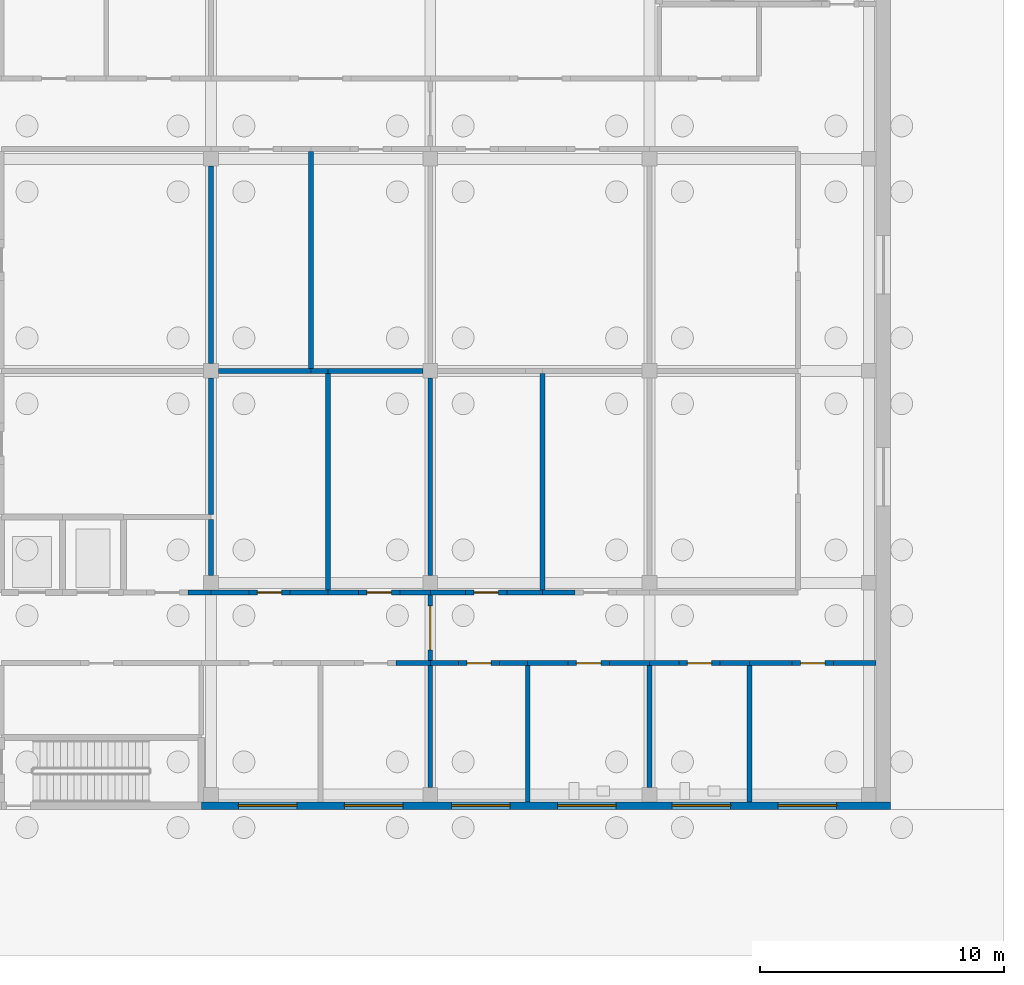
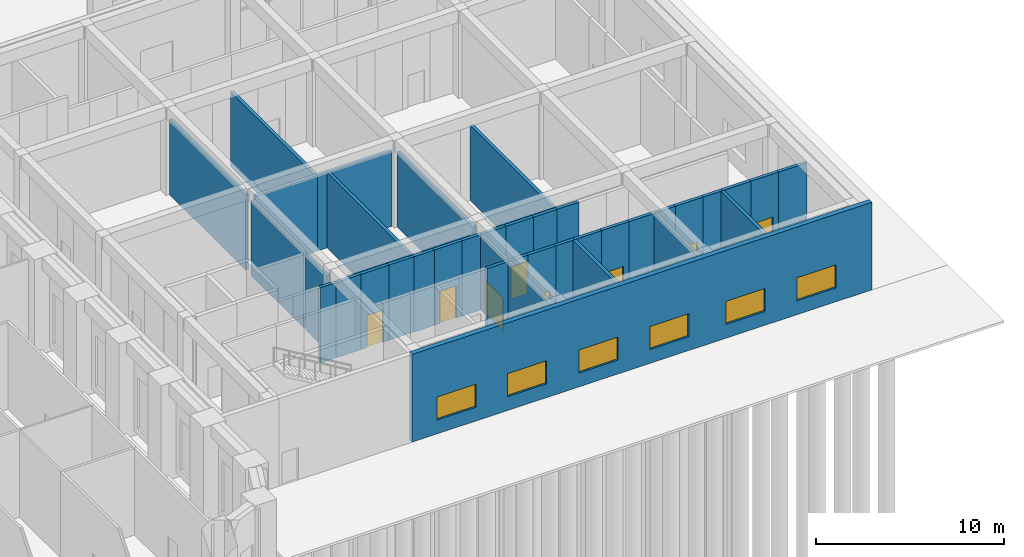
# One storey, part 20 of 31: 40 walls, 8 doors, 6 windows, 14 openings.
"""IFC4 building model written with IfcOpenShell, lengths in metres."""

from ifc_helpers import new_model, si_unit, direction, frame, frame_2d, origin, place, context, subcontext, project, spatial, rectangle, extrude, material, layer, layer_set, type_object, element, fill, save


model = new_model("IFC4")

# Units and contexts
model_context = context("Model", 3, precision=1e-05, world=origin(), true_north=direction((0.0, 1.0)))
body_context = subcontext(model_context, "Body", "Model", "MODEL_VIEW")
ifc_project = project(units=[si_unit("LENGTHUNIT", "METRE"), si_unit("AREAUNIT", "SQUARE_METRE"), si_unit("VOLUMEUNIT", "CUBIC_METRE"), si_unit("PLANEANGLEUNIT", "RADIAN"), si_unit("MASSUNIT", "GRAM", prefix="KILO")], contexts=[model_context])

# Site, building, storey
site_placement = place(None, origin())
site = spatial("IfcSite", under=ifc_project, at=site_placement, CompositionType="ELEMENT")
building_placement = place(site_placement, origin())
building = spatial("IfcBuilding", under=site, at=building_placement, Name="Girih Gate Residences", CompositionType="ELEMENT")
storey_placement = place(building_placement, origin())
storey = spatial("IfcBuildingStorey", under=building, at=storey_placement, Name="L00", CompositionType="ELEMENT", Elevation=0.0)

# Walls
ifc_material_1 = material(Name="Fire-rated gypsum partition")
ifc_layer_1 = layer(ifc_material_1, 0.199951171875)
ifc_layer_set_1 = layer_set([ifc_layer_1], Name="HC Corridor wall 200 EI 60")
wall_type_1 = type_object("IfcWallType", Name="HC Corridor wall 200 EI 60", PredefinedType="PARTITIONING", material=ifc_layer_set_1)
wall_1_placement = place(storey_placement, frame((70.050048828125, 15.0, 0.0), z_axis=(0.0, 0.0, 1.0), x_axis=(1.0, 0.0, 0.0)))
element("IfcWall", 1, at=wall_1_placement, inside=storey, type_object=wall_type_1, Name="L00 wall x15.00/70.0", PredefinedType="PARTITIONING", context=body_context, shape_type="SweptSolid", body=[
    extrude(rectangle(XDim=1.39990234375, YDim=0.199951171875, at=frame_2d((0.699951171875, 0.0))), origin(), (0.0, 0.0, 1.0), 4.89990234375),
])
wall_2_placement = place(storey_placement, frame((71.449951171875, 15.0, 0.0), z_axis=(0.0, 0.0, 1.0), x_axis=(1.0, 0.0, 0.0)))
element("IfcWall", 2, at=wall_2_placement, inside=storey, type_object=wall_type_1, Name="L00 wall x15.00/71.5", PredefinedType="PARTITIONING", context=body_context, shape_type="SweptSolid", body=[
    extrude(rectangle(XDim=1.150146484375, YDim=0.199951171875, at=frame_2d((0.5751953125, 0.0))), origin(), (0.0, 0.0, 1.0), 4.89990234375),
])

# Wall, opening, door
wall_3_placement = place(storey_placement, frame((74.300048828125, 15.0, 0.0), z_axis=(0.0, 0.0, 1.0), x_axis=(-1.0, 0.0, 0.0)))
wall_3 = element("IfcWall", 3, at=wall_3_placement, inside=storey, type_object=wall_type_1, Name="L00 wall x15.00/72.6", PredefinedType="PARTITIONING", context=body_context, shape_type="SweptSolid", body=[
    extrude(rectangle(XDim=1.699951171875, YDim=0.199951171875, at=frame_2d((0.85009765625, 0.0))), origin(), (0.0, 0.0, 1.0), 4.89990234375),
])
opening_1_placement = place(wall_3_placement, frame((0.35009765625, 0.0, 0.0)))
opening_1 = element("IfcOpeningElement", 4, at=opening_1_placement, cuts=wall_3, Name="Opening HC-L00-D12", PredefinedType="OPENING", context=body_context, shape_type="SweptSolid", body=[
    extrude(rectangle(XDim=1.0, YDim=2.10009765625, at=frame_2d((0.5, 1.050048828125))), frame((0.0, 0.10986328125, 0.0), z_axis=(0.0, -1.0, 0.0), x_axis=(1.0, 0.0, 0.0)), (0.0, 0.0, 1.0), 0.219970703125),
])
ifc_material_2 = material(Name="Timber door set", Category="wood")
door_type_1 = type_object("IfcDoorType", Name="HC Door 1000x2100 FD30S", OperationType="NOTDEFINED", PredefinedType="DOOR", material=ifc_material_2)
door_1_placement = place(opening_1_placement, origin())
door_1 = element("IfcDoor", 5, at=door_1_placement, inside=storey, type_object=door_type_1, Name="L00 Phlebotomy room door", OperationType="SINGLE_SWING_LEFT", OverallHeight=2.10009765625, OverallWidth=1.0, PredefinedType="DOOR", context=body_context, shape_type="SweptSolid", body=[
    extrude(rectangle(XDim=1.0, YDim=2.10009765625, at=frame_2d((0.5, 1.050048828125))), frame((0.0, 0.02490234375, 0.0), z_axis=(0.0, -1.0, 0.0), x_axis=(1.0, 0.0, 0.0)), (0.0, 0.0, 1.0), 0.050048828125),
])
fill(opening_1, door_1)

# Walls
wall_4_placement = place(storey_placement, frame((74.300048828125, 15.0, 0.0), z_axis=(0.0, 0.0, 1.0), x_axis=(1.0, 0.0, 0.0)))
element("IfcWall", 6, at=wall_4_placement, inside=storey, type_object=wall_type_1, Name="L00 wall x15.00/74.3", PredefinedType="PARTITIONING", context=body_context, shape_type="SweptSolid", body=[
    extrude(rectangle(XDim=1.14990234375, YDim=0.199951171875, at=frame_2d((0.574951171875, 0.0))), origin(), (0.0, 0.0, 1.0), 4.89990234375),
])
wall_5_placement = place(storey_placement, frame((75.449951171875, 15.0, 0.0), z_axis=(0.0, 0.0, 1.0), x_axis=(1.0, 0.0, 0.0)))
element("IfcWall", 7, at=wall_5_placement, inside=storey, type_object=wall_type_1, Name="L00 wall x15.00/75.5", PredefinedType="PARTITIONING", context=body_context, shape_type="SweptSolid", body=[
    extrude(rectangle(XDim=1.650146484375, YDim=0.199951171875, at=frame_2d((0.8251953125, 0.0))), origin(), (0.0, 0.0, 1.0), 4.89990234375),
])

# Wall, opening, door
wall_6_placement = place(storey_placement, frame((78.800048828125, 15.0, 0.0), z_axis=(0.0, 0.0, 1.0), x_axis=(-1.0, 0.0, 0.0)))
wall_6 = element("IfcWall", 8, at=wall_6_placement, inside=storey, type_object=wall_type_1, Name="L00 wall x15.00/77.1", PredefinedType="PARTITIONING", context=body_context, shape_type="SweptSolid", body=[
    extrude(rectangle(XDim=1.699951171875, YDim=0.199951171875, at=frame_2d((0.85009765625, 0.0))), origin(), (0.0, 0.0, 1.0), 4.89990234375),
])
opening_2_placement = place(wall_6_placement, frame((0.35009765625, 0.0, 0.0)))
opening_2 = element("IfcOpeningElement", 9, at=opening_2_placement, cuts=wall_6, Name="Opening HC-L00-D13", PredefinedType="OPENING", context=body_context, shape_type="SweptSolid", body=[
    extrude(rectangle(XDim=1.0, YDim=2.10009765625, at=frame_2d((0.5, 1.050048828125))), frame((0.0, 0.10986328125, 0.0), z_axis=(0.0, -1.0, 0.0), x_axis=(1.0, 0.0, 0.0)), (0.0, 0.0, 1.0), 0.219970703125),
])
door_2_placement = place(opening_2_placement, origin())
door_2 = element("IfcDoor", 10, at=door_2_placement, inside=storey, type_object=door_type_1, Name="L00 Public WC door", OperationType="SINGLE_SWING_RIGHT", OverallHeight=2.10009765625, OverallWidth=1.0, PredefinedType="DOOR", context=body_context, shape_type="SweptSolid", body=[
    extrude(rectangle(XDim=1.0, YDim=2.10009765625, at=frame_2d((0.5, 1.050048828125))), frame((0.0, 0.02490234375, 0.0), z_axis=(0.0, -1.0, 0.0), x_axis=(1.0, 0.0, 0.0)), (0.0, 0.0, 1.0), 0.050048828125),
])
fill(opening_2, door_2)

# Walls
wall_7_placement = place(storey_placement, frame((78.800048828125, 15.0, 0.0), z_axis=(0.0, 0.0, 1.0), x_axis=(1.0, 0.0, 0.0)))
element("IfcWall", 11, at=wall_7_placement, inside=storey, type_object=wall_type_1, Name="L00 wall x15.00/78.8", PredefinedType="PARTITIONING", context=body_context, shape_type="SweptSolid", body=[
    extrude(rectangle(XDim=1.64990234375, YDim=0.199951171875, at=frame_2d((0.824951171875, 0.0))), origin(), (0.0, 0.0, 1.0), 4.89990234375),
])
wall_8_placement = place(storey_placement, frame((80.449951171875, 15.0, 0.0), z_axis=(0.0, 0.0, 1.0), x_axis=(1.0, 0.0, 0.0)))
element("IfcWall", 12, at=wall_8_placement, inside=storey, type_object=wall_type_1, Name="L00 wall x15.00/80.5", PredefinedType="PARTITIONING", context=body_context, shape_type="SweptSolid", body=[
    extrude(rectangle(XDim=1.199951171875, YDim=0.199951171875, at=frame_2d((0.60009765625, 0.0))), origin(), (0.0, 0.0, 1.0), 4.89990234375),
])

# Wall, opening, door
wall_9_placement = place(storey_placement, frame((83.35009765625, 15.0, 0.0), z_axis=(0.0, 0.0, 1.0), x_axis=(-1.0, 0.0, 0.0)))
wall_9 = element("IfcWall", 13, at=wall_9_placement, inside=storey, type_object=wall_type_1, Name="L00 wall x15.00/81.7", PredefinedType="PARTITIONING", context=body_context, shape_type="SweptSolid", body=[
    extrude(rectangle(XDim=1.7001953125, YDim=0.199951171875, at=frame_2d((0.85009765625, 0.0))), origin(), (0.0, 0.0, 1.0), 4.89990234375),
])
opening_3_placement = place(wall_9_placement, frame((0.35009765625, 0.0, 0.0)))
opening_3 = element("IfcOpeningElement", 14, at=opening_3_placement, cuts=wall_9, Name="Opening HC-L00-D14", PredefinedType="OPENING", context=body_context, shape_type="SweptSolid", body=[
    extrude(rectangle(XDim=1.0, YDim=2.10009765625, at=frame_2d((0.5, 1.050048828125))), frame((0.0, 0.10986328125, 0.0), z_axis=(0.0, -1.0, 0.0), x_axis=(1.0, 0.0, 0.0)), (0.0, 0.0, 1.0), 0.219970703125),
])
door_3_placement = place(opening_3_placement, origin())
door_3 = element("IfcDoor", 15, at=door_3_placement, inside=storey, type_object=door_type_1, Name="L00 Accessible WC door", OperationType="SINGLE_SWING_LEFT", OverallHeight=2.10009765625, OverallWidth=1.0, PredefinedType="DOOR", context=body_context, shape_type="SweptSolid", body=[
    extrude(rectangle(XDim=1.0, YDim=2.10009765625, at=frame_2d((0.5, 1.050048828125))), frame((0.0, 0.02490234375, 0.0), z_axis=(0.0, -1.0, 0.0), x_axis=(1.0, 0.0, 0.0)), (0.0, 0.0, 1.0), 0.050048828125),
])
fill(opening_3, door_3)

# Walls
wall_10_placement = place(storey_placement, frame((83.35009765625, 15.0, 0.0), z_axis=(0.0, 0.0, 1.0), x_axis=(1.0, 0.0, 0.0)))
element("IfcWall", 16, at=wall_10_placement, inside=storey, type_object=wall_type_1, Name="L00 wall x15.00/83.3", PredefinedType="PARTITIONING", context=body_context, shape_type="SweptSolid", body=[
    extrude(rectangle(XDim=1.199951171875, YDim=0.199951171875, at=frame_2d((0.60009765625, 0.0))), origin(), (0.0, 0.0, 1.0), 4.89990234375),
])
wall_11_placement = place(storey_placement, frame((84.550048828125, 15.0, 0.0), z_axis=(0.0, 0.0, 1.0), x_axis=(1.0, 0.0, 0.0)))
element("IfcWall", 17, at=wall_11_placement, inside=storey, type_object=wall_type_1, Name="L00 wall x15.00/84.5", PredefinedType="PARTITIONING", context=body_context, shape_type="SweptSolid", body=[
    extrude(rectangle(XDim=1.75, YDim=0.199951171875, at=frame_2d((0.875, 0.0))), origin(), (0.0, 0.0, 1.0), 4.89990234375),
])

# Wall, opening, door
wall_12_placement = place(storey_placement, frame((88.0, 15.0, 0.0), z_axis=(0.0, 0.0, 1.0), x_axis=(-1.0, 0.0, 0.0)))
wall_12 = element("IfcWall", 18, at=wall_12_placement, inside=storey, type_object=wall_type_1, Name="L00 wall x15.00/86.3", PredefinedType="PARTITIONING", context=body_context, shape_type="SweptSolid", body=[
    extrude(rectangle(XDim=1.699951171875, YDim=0.199951171875, at=frame_2d((0.85009765625, 0.0))), origin(), (0.0, 0.0, 1.0), 4.89990234375),
])
opening_4_placement = place(wall_12_placement, frame((0.35009765625, 0.0, 0.0)))
opening_4 = element("IfcOpeningElement", 19, at=opening_4_placement, cuts=wall_12, Name="Opening HC-L00-D15", PredefinedType="OPENING", context=body_context, shape_type="SweptSolid", body=[
    extrude(rectangle(XDim=1.0, YDim=2.10009765625, at=frame_2d((0.5, 1.050048828125))), frame((0.0, 0.10986328125, 0.0), z_axis=(0.0, -1.0, 0.0), x_axis=(1.0, 0.0, 0.0)), (0.0, 0.0, 1.0), 0.219970703125),
])
door_4_placement = place(opening_4_placement, origin())
door_4 = element("IfcDoor", 20, at=door_4_placement, inside=storey, type_object=door_type_1, Name="L00 Staff base door", OperationType="SINGLE_SWING_RIGHT", OverallHeight=2.10009765625, OverallWidth=1.0, PredefinedType="DOOR", context=body_context, shape_type="SweptSolid", body=[
    extrude(rectangle(XDim=1.0, YDim=2.10009765625, at=frame_2d((0.5, 1.050048828125))), frame((0.0, 0.02490234375, 0.0), z_axis=(0.0, -1.0, 0.0), x_axis=(1.0, 0.0, 0.0)), (0.0, 0.0, 1.0), 0.050048828125),
])
fill(opening_4, door_4)

# Walls
wall_13_placement = place(storey_placement, frame((88.0, 15.0, 0.0), z_axis=(0.0, 0.0, 1.0), x_axis=(1.0, 0.0, 0.0)))
element("IfcWall", 21, at=wall_13_placement, inside=storey, type_object=wall_type_1, Name="L00 wall x15.00/88.0", PredefinedType="PARTITIONING", context=body_context, shape_type="SweptSolid", body=[
    extrude(rectangle(XDim=1.75, YDim=0.199951171875, at=frame_2d((0.875, 0.0))), origin(), (0.0, 0.0, 1.0), 4.89990234375),
])
wall_14_placement = place(storey_placement, frame((61.5, 17.89990234375, 0.0), z_axis=(0.0, 0.0, 1.0), x_axis=(1.0, 0.0, 0.0)))
element("IfcWall", 22, at=wall_14_placement, inside=storey, type_object=wall_type_1, Name="L00 wall x17.90/61.5", PredefinedType="PARTITIONING", context=body_context, shape_type="SweptSolid", body=[
    extrude(rectangle(XDim=0.949951171875, YDim=0.199951171875, at=frame_2d((0.47509765625, 0.0))), origin(), (0.0, 0.0, 1.0), 4.89990234375),
])
wall_15_placement = place(storey_placement, frame((62.449951171875, 17.89990234375, 0.0), z_axis=(0.0, 0.0, 1.0), x_axis=(1.0, 0.0, 0.0)))
element("IfcWall", 23, at=wall_15_placement, inside=storey, type_object=wall_type_1, Name="L00 wall x17.90/62.5", PredefinedType="PARTITIONING", context=body_context, shape_type="SweptSolid", body=[
    extrude(rectangle(XDim=1.550048828125, YDim=0.199951171875, at=frame_2d((0.77490234375, 0.0))), origin(), (0.0, 0.0, 1.0), 4.89990234375),
])

# Wall, opening, door
wall_16_placement = place(storey_placement, frame((64.0, 17.89990234375, 0.0), z_axis=(0.0, 0.0, 1.0), x_axis=(1.0, 0.0, 0.0)))
wall_16 = element("IfcWall", 24, at=wall_16_placement, inside=storey, type_object=wall_type_1, Name="L00 wall x17.90/64.0", PredefinedType="PARTITIONING", context=body_context, shape_type="SweptSolid", body=[
    extrude(rectangle(XDim=1.699951171875, YDim=0.199951171875, at=frame_2d((0.85009765625, 0.0))), origin(), (0.0, 0.0, 1.0), 4.89990234375),
])
opening_5_placement = place(wall_16_placement, frame((0.35009765625, 0.0, 0.0)))
opening_5 = element("IfcOpeningElement", 25, at=opening_5_placement, cuts=wall_16, Name="Opening HC-L00-D18", PredefinedType="OPENING", context=body_context, shape_type="SweptSolid", body=[
    extrude(rectangle(XDim=1.0, YDim=2.10009765625, at=frame_2d((0.5, 1.050048828125))), frame((0.0, 0.10986328125, 0.0), z_axis=(0.0, -1.0, 0.0), x_axis=(1.0, 0.0, 0.0)), (0.0, 0.0, 1.0), 0.219970703125),
])
door_5_placement = place(opening_5_placement, origin())
door_5 = element("IfcDoor", 26, at=door_5_placement, inside=storey, type_object=door_type_1, Name="L00 Urgent care bay door", OperationType="SINGLE_SWING_RIGHT", OverallHeight=2.10009765625, OverallWidth=1.0, PredefinedType="DOOR", context=body_context, shape_type="SweptSolid", body=[
    extrude(rectangle(XDim=1.0, YDim=2.10009765625, at=frame_2d((0.5, 1.050048828125))), frame((0.0, 0.02490234375, 0.0), z_axis=(0.0, -1.0, 0.0), x_axis=(1.0, 0.0, 0.0)), (0.0, 0.0, 1.0), 0.050048828125),
])
fill(opening_5, door_5)

# Walls
wall_17_placement = place(storey_placement, frame((65.699951171875, 17.89990234375, 0.0), z_axis=(0.0, 0.0, 1.0), x_axis=(1.0, 0.0, 0.0)))
element("IfcWall", 27, at=wall_17_placement, inside=storey, type_object=wall_type_1, Name="L00 wall x17.90/65.7", PredefinedType="PARTITIONING", context=body_context, shape_type="SweptSolid", body=[
    extrude(rectangle(XDim=1.550048828125, YDim=0.199951171875, at=frame_2d((0.77490234375, 0.0))), origin(), (0.0, 0.0, 1.0), 4.89990234375),
])
wall_18_placement = place(storey_placement, frame((67.25, 17.89990234375, 0.0), z_axis=(0.0, 0.0, 1.0), x_axis=(1.0, 0.0, 0.0)))
element("IfcWall", 28, at=wall_18_placement, inside=storey, type_object=wall_type_1, Name="L00 wall x17.90/67.2", PredefinedType="PARTITIONING", context=body_context, shape_type="SweptSolid", body=[
    extrude(rectangle(XDim=1.25, YDim=0.199951171875, at=frame_2d((0.625, 0.0))), origin(), (0.0, 0.0, 1.0), 4.89990234375),
])

# Wall, opening, door
wall_19_placement = place(storey_placement, frame((68.5, 17.89990234375, 0.0), z_axis=(0.0, 0.0, 1.0), x_axis=(1.0, 0.0, 0.0)))
wall_19 = element("IfcWall", 29, at=wall_19_placement, inside=storey, type_object=wall_type_1, Name="L00 wall x17.90/68.5", PredefinedType="PARTITIONING", context=body_context, shape_type="SweptSolid", body=[
    extrude(rectangle(XDim=1.699951171875, YDim=0.199951171875, at=frame_2d((0.85009765625, 0.0))), origin(), (0.0, 0.0, 1.0), 4.89990234375),
])
opening_6_placement = place(wall_19_placement, frame((0.35009765625, 0.0, 0.0)))
opening_6 = element("IfcOpeningElement", 30, at=opening_6_placement, cuts=wall_19, Name="Opening HC-L00-D19", PredefinedType="OPENING", context=body_context, shape_type="SweptSolid", body=[
    extrude(rectangle(XDim=1.0, YDim=2.10009765625, at=frame_2d((0.5, 1.050048828125))), frame((0.0, 0.10986328125, 0.0), z_axis=(0.0, -1.0, 0.0), x_axis=(1.0, 0.0, 0.0)), (0.0, 0.0, 1.0), 0.219970703125),
])
door_6_placement = place(opening_6_placement, origin())
door_6 = element("IfcDoor", 31, at=door_6_placement, inside=storey, type_object=door_type_1, Name="L00 Resuscitation room door", OperationType="SINGLE_SWING_LEFT", OverallHeight=2.10009765625, OverallWidth=1.0, PredefinedType="DOOR", context=body_context, shape_type="SweptSolid", body=[
    extrude(rectangle(XDim=1.0, YDim=2.10009765625, at=frame_2d((0.5, 1.050048828125))), frame((0.0, 0.02490234375, 0.0), z_axis=(0.0, -1.0, 0.0), x_axis=(1.0, 0.0, 0.0)), (0.0, 0.0, 1.0), 0.050048828125),
])
fill(opening_6, door_6)

# Walls
wall_20_placement = place(storey_placement, frame((70.199951171875, 17.89990234375, 0.0), z_axis=(0.0, 0.0, 1.0), x_axis=(1.0, 0.0, 0.0)))
element("IfcWall", 32, at=wall_20_placement, inside=storey, type_object=wall_type_1, Name="L00 wall x17.90/70.2", PredefinedType="PARTITIONING", context=body_context, shape_type="SweptSolid", body=[
    extrude(rectangle(XDim=1.25, YDim=0.199951171875, at=frame_2d((0.625, 0.0))), origin(), (0.0, 0.0, 1.0), 4.89990234375),
])
wall_21_placement = place(storey_placement, frame((71.449951171875, 17.89990234375, 0.0), z_axis=(0.0, 0.0, 1.0), x_axis=(1.0, 0.0, 0.0)))
element("IfcWall", 33, at=wall_21_placement, inside=storey, type_object=wall_type_1, Name="L00 wall x17.90/71.5", PredefinedType="PARTITIONING", context=body_context, shape_type="SweptSolid", body=[
    extrude(rectangle(XDim=1.449951171875, YDim=0.199951171875, at=frame_2d((0.72509765625, 0.0))), origin(), (0.0, 0.0, 1.0), 4.89990234375),
])

# Wall, opening, door
wall_22_placement = place(storey_placement, frame((72.89990234375, 17.89990234375, 0.0), z_axis=(0.0, 0.0, 1.0), x_axis=(1.0, 0.0, 0.0)))
wall_22 = element("IfcWall", 34, at=wall_22_placement, inside=storey, type_object=wall_type_1, Name="L00 wall x17.90/72.9", PredefinedType="PARTITIONING", context=body_context, shape_type="SweptSolid", body=[
    extrude(rectangle(XDim=1.7001953125, YDim=0.199951171875, at=frame_2d((0.85009765625, 0.0))), origin(), (0.0, 0.0, 1.0), 4.89990234375),
])
opening_7_placement = place(wall_22_placement, frame((0.35009765625, 0.0, 0.0)))
opening_7 = element("IfcOpeningElement", 35, at=opening_7_placement, cuts=wall_22, Name="Opening HC-L00-D20", PredefinedType="OPENING", context=body_context, shape_type="SweptSolid", body=[
    extrude(rectangle(XDim=1.0, YDim=2.10009765625, at=frame_2d((0.5, 1.050048828125))), frame((0.0, 0.10986328125, 0.0), z_axis=(0.0, -1.0, 0.0), x_axis=(1.0, 0.0, 0.0)), (0.0, 0.0, 1.0), 0.219970703125),
])
door_7_placement = place(opening_7_placement, origin())
door_7 = element("IfcDoor", 36, at=door_7_placement, inside=storey, type_object=door_type_1, Name="L00 Plaster room door", OperationType="SINGLE_SWING_RIGHT", OverallHeight=2.10009765625, OverallWidth=1.0, PredefinedType="DOOR", context=body_context, shape_type="SweptSolid", body=[
    extrude(rectangle(XDim=1.0, YDim=2.10009765625, at=frame_2d((0.5, 1.050048828125))), frame((0.0, 0.02490234375, 0.0), z_axis=(0.0, -1.0, 0.0), x_axis=(1.0, 0.0, 0.0)), (0.0, 0.0, 1.0), 0.050048828125),
])
fill(opening_7, door_7)

# Walls
wall_23_placement = place(storey_placement, frame((74.60009765625, 17.89990234375, 0.0), z_axis=(0.0, 0.0, 1.0), x_axis=(1.0, 0.0, 0.0)))
element("IfcWall", 37, at=wall_23_placement, inside=storey, type_object=wall_type_1, Name="L00 wall x17.90/74.6", PredefinedType="PARTITIONING", context=body_context, shape_type="SweptSolid", body=[
    extrude(rectangle(XDim=1.449951171875, YDim=0.199951171875, at=frame_2d((0.72509765625, 0.0))), origin(), (0.0, 0.0, 1.0), 4.89990234375),
])
wall_24_placement = place(storey_placement, frame((76.050048828125, 17.89990234375, 0.0), z_axis=(0.0, 0.0, 1.0), x_axis=(1.0, 0.0, 0.0)))
element("IfcWall", 38, at=wall_24_placement, inside=storey, type_object=wall_type_1, Name="L00 wall x17.90/76.0", PredefinedType="PARTITIONING", context=body_context, shape_type="SweptSolid", body=[
    extrude(rectangle(XDim=1.349853515625, YDim=0.199951171875, at=frame_2d((0.6748046875, 0.0))), origin(), (0.0, 0.0, 1.0), 4.89990234375),
])
wall_25_placement = place(storey_placement, frame((62.449951171875, 18.60009765625, 0.0), z_axis=(0.0, 0.0, 1.0), x_axis=(0.0, 1.0, 0.0)))
element("IfcWall", 39, at=wall_25_placement, inside=storey, type_object=wall_type_1, Name="L00 wall y62.45/18.6", PredefinedType="PARTITIONING", context=body_context, shape_type="SweptSolid", body=[
    extrude(rectangle(XDim=2.2998046875, YDim=0.199951171875, at=frame_2d((1.14990234375, 0.0))), origin(), (0.0, 0.0, 1.0), 4.89990234375),
])

# Wall, opening, door
wall_26_placement = place(storey_placement, frame((71.449951171875, 17.800048828125, 0.0), z_axis=(0.0, 0.0, 1.0), x_axis=(0.0, -1.0, 0.0)))
wall_26 = element("IfcWall", 40, at=wall_26_placement, inside=storey, type_object=wall_type_1, Name="L00 wall y71.45/15.1", PredefinedType="PARTITIONING", context=body_context, shape_type="SweptSolid", body=[
    extrude(rectangle(XDim=2.699951171875, YDim=0.199951171875, at=frame_2d((1.35009765625, 0.0))), origin(), (0.0, 0.0, 1.0), 4.89990234375),
])
opening_8_placement = place(wall_26_placement, frame((0.449951171875, 0.0, 0.0)))
opening_8 = element("IfcOpeningElement", 41, at=opening_8_placement, cuts=wall_26, Name="Opening HC-L00-D07", PredefinedType="OPENING", context=body_context, shape_type="SweptSolid", body=[
    extrude(rectangle(XDim=1.800048828125, YDim=2.10009765625, at=frame_2d((0.89990234375, 1.050048828125))), frame((0.0, 0.10986328125, 0.0), z_axis=(0.0, -1.0, 0.0), x_axis=(1.0, 0.0, 0.0)), (0.0, 0.0, 1.0), 0.219970703125),
])
door_type_2 = type_object("IfcDoorType", Name="HC Corridor fire door pair 1800x2100 FD30S", OperationType="NOTDEFINED", PredefinedType="DOOR", material=ifc_material_2)
door_8_placement = place(opening_8_placement, origin())
door_8 = element("IfcDoor", 42, at=door_8_placement, inside=storey, type_object=door_type_2, Name="L00 corridor south fire door pair", OperationType="DOUBLE_DOOR_DOUBLE_SWING", OverallHeight=2.10009765625, OverallWidth=1.800048828125, PredefinedType="DOOR", context=body_context, shape_type="SweptSolid", body=[
    extrude(rectangle(XDim=1.800048828125, YDim=2.10009765625, at=frame_2d((0.89990234375, 1.050048828125))), frame((0.0, 0.02490234375, 0.0), z_axis=(0.0, -1.0, 0.0), x_axis=(1.0, 0.0, 0.0)), (0.0, 0.0, 1.0), 0.050048828125),
])
fill(opening_8, door_8)

# Wall, openings, windows
ifc_material_3 = material(Name="Precast concrete C40/50", Category="concrete")
ifc_layer_2 = layer(ifc_material_3, 0.300048828125)
ifc_layer_set_2 = layer_set([ifc_layer_2], Name="HC Facade wall 300")
wall_type_2 = type_object("IfcWallType", Name="HC Facade wall 300", PredefinedType="SOLIDWALL", material=ifc_layer_set_2)
wall_27_placement = place(storey_placement, frame((90.35009765625, 9.14990234375, 0.0), z_axis=(0.0, 0.0, 1.0), x_axis=(-1.0, 0.0, 0.0)))
wall_27 = element("IfcWall", 43, at=wall_27_placement, inside=storey, type_object=wall_type_2, Name="L00 south facade wall", PredefinedType="SOLIDWALL", context=body_context, shape_type="SweptSolid", body=[
    extrude(rectangle(XDim=28.300048828125, YDim=0.300048828125, at=frame_2d((14.14990234375, 0.0))), origin(), (0.0, 0.0, 1.0), 5.699951171875),
])
opening_9_placement = place(wall_27_placement, frame((2.22509765625, 0.0, 0.89990234375)))
opening_9 = element("IfcOpeningElement", 44, at=opening_9_placement, cuts=wall_27, Name="Opening HC-W-L00-S06", PredefinedType="OPENING", context=body_context, shape_type="SweptSolid", body=[
    extrude(rectangle(XDim=2.39990234375, YDim=1.5, at=frame_2d((1.199951171875, 0.75))), frame((0.0, 0.159912109375, 0.0), z_axis=(0.0, -1.0, 0.0), x_axis=(1.0, 0.0, 0.0)), (0.0, 0.0, 1.0), 0.320068359375),
])
opening_10_placement = place(wall_27_placement, frame((6.574951171875, 0.0, 0.89990234375)))
opening_10 = element("IfcOpeningElement", 45, at=opening_10_placement, cuts=wall_27, Name="Opening HC-W-L00-S05", PredefinedType="OPENING", context=body_context, shape_type="SweptSolid", body=[
    extrude(rectangle(XDim=2.39990234375, YDim=1.5, at=frame_2d((1.199951171875, 0.75))), frame((0.0, 0.159912109375, 0.0), z_axis=(0.0, -1.0, 0.0), x_axis=(1.0, 0.0, 0.0)), (0.0, 0.0, 1.0), 0.320068359375),
])
opening_11_placement = place(wall_27_placement, frame((11.27490234375, 0.0, 0.89990234375)))
opening_11 = element("IfcOpeningElement", 46, at=opening_11_placement, cuts=wall_27, Name="Opening HC-W-L00-S04", PredefinedType="OPENING", context=body_context, shape_type="SweptSolid", body=[
    extrude(rectangle(XDim=2.39990234375, YDim=1.5, at=frame_2d((1.199951171875, 0.75))), frame((0.0, 0.159912109375, 0.0), z_axis=(0.0, -1.0, 0.0), x_axis=(1.0, 0.0, 0.0)), (0.0, 0.0, 1.0), 0.320068359375),
])
opening_12_placement = place(wall_27_placement, frame((15.625, 0.0, 0.89990234375)))
opening_12 = element("IfcOpeningElement", 47, at=opening_12_placement, cuts=wall_27, Name="Opening HC-W-L00-S03", PredefinedType="OPENING", context=body_context, shape_type="SweptSolid", body=[
    extrude(rectangle(XDim=2.39990234375, YDim=1.5, at=frame_2d((1.199951171875, 0.75))), frame((0.0, 0.159912109375, 0.0), z_axis=(0.0, -1.0, 0.0), x_axis=(1.0, 0.0, 0.0)), (0.0, 0.0, 1.0), 0.320068359375),
])
opening_13_placement = place(wall_27_placement, frame((20.02490234375, 0.0, 0.89990234375)))
opening_13 = element("IfcOpeningElement", 48, at=opening_13_placement, cuts=wall_27, Name="Opening HC-W-L00-S02", PredefinedType="OPENING", context=body_context, shape_type="SweptSolid", body=[
    extrude(rectangle(XDim=2.39990234375, YDim=1.5, at=frame_2d((1.199951171875, 0.75))), frame((0.0, 0.159912109375, 0.0), z_axis=(0.0, -1.0, 0.0), x_axis=(1.0, 0.0, 0.0)), (0.0, 0.0, 1.0), 0.320068359375),
])
opening_14_placement = place(wall_27_placement, frame((24.375, 0.0, 0.89990234375)))
opening_14 = element("IfcOpeningElement", 49, at=opening_14_placement, cuts=wall_27, Name="Opening HC-W-L00-S01", PredefinedType="OPENING", context=body_context, shape_type="SweptSolid", body=[
    extrude(rectangle(XDim=2.39990234375, YDim=1.5, at=frame_2d((1.199951171875, 0.75))), frame((0.0, 0.159912109375, 0.0), z_axis=(0.0, -1.0, 0.0), x_axis=(1.0, 0.0, 0.0)), (0.0, 0.0, 1.0), 0.320068359375),
])
ifc_material_4 = material(Name="Aluminium framed glazing", Category="aluminium")
window_type = type_object("IfcWindowType", Name="HC Window W-4 2400x1500", PartitioningType="DOUBLE_PANEL_VERTICAL", PredefinedType="WINDOW", material=ifc_material_4)
window_1_placement = place(opening_9_placement, origin())
window_1 = element("IfcWindow", 50, at=window_1_placement, inside=storey, type_object=window_type, Name="L00 south window 6", OverallHeight=1.5, OverallWidth=2.39990234375, PartitioningType="DOUBLE_PANEL_VERTICAL", PredefinedType="WINDOW", context=body_context, shape_type="SweptSolid", body=[
    extrude(rectangle(XDim=2.39990234375, YDim=1.5, at=frame_2d((1.199951171875, 0.75))), frame((0.0, 0.030029296875, 0.0), z_axis=(0.0, -1.0, 0.0), x_axis=(1.0, 0.0, 0.0)), (0.0, 0.0, 1.0), 0.06005859375),
])
fill(opening_9, window_1)
window_2_placement = place(opening_10_placement, origin())
window_2 = element("IfcWindow", 51, at=window_2_placement, inside=storey, type_object=window_type, Name="L00 south window 5", OverallHeight=1.5, OverallWidth=2.39990234375, PartitioningType="DOUBLE_PANEL_VERTICAL", PredefinedType="WINDOW", context=body_context, shape_type="SweptSolid", body=[
    extrude(rectangle(XDim=2.39990234375, YDim=1.5, at=frame_2d((1.199951171875, 0.75))), frame((0.0, 0.030029296875, 0.0), z_axis=(0.0, -1.0, 0.0), x_axis=(1.0, 0.0, 0.0)), (0.0, 0.0, 1.0), 0.06005859375),
])
fill(opening_10, window_2)
window_3_placement = place(opening_11_placement, origin())
window_3 = element("IfcWindow", 52, at=window_3_placement, inside=storey, type_object=window_type, Name="L00 south window 4", OverallHeight=1.5, OverallWidth=2.39990234375, PartitioningType="DOUBLE_PANEL_VERTICAL", PredefinedType="WINDOW", context=body_context, shape_type="SweptSolid", body=[
    extrude(rectangle(XDim=2.39990234375, YDim=1.5, at=frame_2d((1.199951171875, 0.75))), frame((0.0, 0.030029296875, 0.0), z_axis=(0.0, -1.0, 0.0), x_axis=(1.0, 0.0, 0.0)), (0.0, 0.0, 1.0), 0.06005859375),
])
fill(opening_11, window_3)
window_4_placement = place(opening_12_placement, origin())
window_4 = element("IfcWindow", 53, at=window_4_placement, inside=storey, type_object=window_type, Name="L00 south window 3", OverallHeight=1.5, OverallWidth=2.39990234375, PartitioningType="DOUBLE_PANEL_VERTICAL", PredefinedType="WINDOW", context=body_context, shape_type="SweptSolid", body=[
    extrude(rectangle(XDim=2.39990234375, YDim=1.5, at=frame_2d((1.199951171875, 0.75))), frame((0.0, 0.030029296875, 0.0), z_axis=(0.0, -1.0, 0.0), x_axis=(1.0, 0.0, 0.0)), (0.0, 0.0, 1.0), 0.06005859375),
])
fill(opening_12, window_4)
window_5_placement = place(opening_13_placement, origin())
window_5 = element("IfcWindow", 54, at=window_5_placement, inside=storey, type_object=window_type, Name="L00 south window 2", OverallHeight=1.5, OverallWidth=2.39990234375, PartitioningType="DOUBLE_PANEL_VERTICAL", PredefinedType="WINDOW", context=body_context, shape_type="SweptSolid", body=[
    extrude(rectangle(XDim=2.39990234375, YDim=1.5, at=frame_2d((1.199951171875, 0.75))), frame((0.0, 0.030029296875, 0.0), z_axis=(0.0, -1.0, 0.0), x_axis=(1.0, 0.0, 0.0)), (0.0, 0.0, 1.0), 0.06005859375),
])
fill(opening_13, window_5)
window_6_placement = place(opening_14_placement, origin())
window_6 = element("IfcWindow", 55, at=window_6_placement, inside=storey, type_object=window_type, Name="L00 south window 1", OverallHeight=1.5, OverallWidth=2.39990234375, PartitioningType="DOUBLE_PANEL_VERTICAL", PredefinedType="WINDOW", context=body_context, shape_type="SweptSolid", body=[
    extrude(rectangle(XDim=2.39990234375, YDim=1.5, at=frame_2d((1.199951171875, 0.75))), frame((0.0, 0.030029296875, 0.0), z_axis=(0.0, -1.0, 0.0), x_axis=(1.0, 0.0, 0.0)), (0.0, 0.0, 1.0), 0.06005859375),
])
fill(opening_14, window_6)

# Walls
ifc_material_5 = material(Name="Gypsum partition")
ifc_layer_3 = layer(ifc_material_5, 0.199951171875)
ifc_layer_set_3 = layer_set([ifc_layer_3], Name="HC Room partition 200 EI 30")
wall_type_3 = type_object("IfcWallType", Name="HC Room partition 200 EI 30", PredefinedType="PARTITIONING", material=ifc_layer_set_3)
wall_28_placement = place(storey_placement, frame((62.75, 27.0, 0.0), z_axis=(0.0, 0.0, 1.0), x_axis=(1.0, 0.0, 0.0)))
element("IfcWall", 56, at=wall_28_placement, inside=storey, type_object=wall_type_3, Name="L00 wall x27.00/62.8", PredefinedType="PARTITIONING", context=body_context, shape_type="SweptSolid", body=[
    extrude(rectangle(XDim=3.800048828125, YDim=0.199951171875, at=frame_2d((1.89990234375, 0.0))), origin(), (0.0, 0.0, 1.0), 4.89990234375),
])
wall_29_placement = place(storey_placement, frame((66.550048828125, 27.0, 0.0), z_axis=(0.0, 0.0, 1.0), x_axis=(1.0, 0.0, 0.0)))
element("IfcWall", 57, at=wall_29_placement, inside=storey, type_object=wall_type_3, Name="L00 wall x27.00/66.5", PredefinedType="PARTITIONING", context=body_context, shape_type="SweptSolid", body=[
    extrude(rectangle(XDim=0.699951171875, YDim=0.199951171875, at=frame_2d((0.35009765625, 0.0))), origin(), (0.0, 0.0, 1.0), 4.89990234375),
])
wall_30_placement = place(storey_placement, frame((67.25, 27.0, 0.0), z_axis=(0.0, 0.0, 1.0), x_axis=(1.0, 0.0, 0.0)))
element("IfcWall", 58, at=wall_30_placement, inside=storey, type_object=wall_type_3, Name="L00 wall x27.00/67.2", PredefinedType="PARTITIONING", context=body_context, shape_type="SweptSolid", body=[
    extrude(rectangle(XDim=3.89990234375, YDim=0.199951171875, at=frame_2d((1.949951171875, 0.0))), origin(), (0.0, 0.0, 1.0), 4.89990234375),
])
wall_31_placement = place(storey_placement, frame((62.449951171875, 21.10009765625, 0.0), z_axis=(0.0, 0.0, 1.0), x_axis=(0.0, 1.0, 0.0)))
element("IfcWall", 59, at=wall_31_placement, inside=storey, type_object=wall_type_3, Name="L00 wall y62.45/21.1", PredefinedType="PARTITIONING", context=body_context, shape_type="SweptSolid", body=[
    extrude(rectangle(XDim=5.599853515625, YDim=0.199951171875, at=frame_2d((2.7998046875, 0.0))), origin(), (0.0, 0.0, 1.0), 4.89990234375),
])
wall_32_placement = place(storey_placement, frame((62.449951171875, 27.300048828125, 0.0), z_axis=(0.0, 0.0, 1.0), x_axis=(0.0, 1.0, 0.0)))
element("IfcWall", 60, at=wall_32_placement, inside=storey, type_object=wall_type_3, Name="L00 wall y62.45/27.3", PredefinedType="PARTITIONING", context=body_context, shape_type="SweptSolid", body=[
    extrude(rectangle(XDim=8.099853515625, YDim=0.199951171875, at=frame_2d((4.0498046875, 0.0))), origin(), (0.0, 0.0, 1.0), 4.89990234375),
])
for number, where, z_axis, x_axis, name in (
    (61, (66.550048828125, 27.10009765625, 0.0), (0.0, 0.0, 1.0), (0.0, 1.0, 0.0), "L00 wall y66.55/27.1"),
    (62, (67.25, 18.0, 0.0), (0.0, 0.0, 1.0), (0.0, 1.0, 0.0), "L00 wall y67.25/18.0"),
):
    element("IfcWall", number, at=place(storey_placement, frame(where, z_axis=z_axis, x_axis=x_axis)), inside=storey, type_object=wall_type_3, Name=name, PredefinedType="PARTITIONING", context=body_context, shape_type="SweptSolid", body=[
        extrude(rectangle(XDim=8.89990234375, YDim=0.199951171875, at=frame_2d((4.449951171875, 0.0))), origin(), (0.0, 0.0, 1.0), 4.89990234375),
    ])
wall_33_placement = place(storey_placement, frame((71.449951171875, 9.89990234375, 0.0), z_axis=(0.0, 0.0, 1.0), x_axis=(0.0, 1.0, 0.0)))
element("IfcWall", 63, at=wall_33_placement, inside=storey, type_object=wall_type_3, Name="L00 wall y71.45/9.9", PredefinedType="PARTITIONING", context=body_context, shape_type="SweptSolid", body=[
    extrude(rectangle(XDim=5.0, YDim=0.199951171875, at=frame_2d((2.5, 0.0))), origin(), (0.0, 0.0, 1.0), 4.89990234375),
])
wall_34_placement = place(storey_placement, frame((71.449951171875, 18.60009765625, 0.0), z_axis=(0.0, 0.0, 1.0), x_axis=(0.0, 1.0, 0.0)))
element("IfcWall", 64, at=wall_34_placement, inside=storey, type_object=wall_type_3, Name="L00 wall y71.45/18.6", PredefinedType="PARTITIONING", context=body_context, shape_type="SweptSolid", body=[
    extrude(rectangle(XDim=8.099853515625, YDim=0.199951171875, at=frame_2d((4.0498046875, 0.0))), origin(), (0.0, 0.0, 1.0), 4.89990234375),
])
wall_35_placement = place(storey_placement, frame((75.449951171875, 9.300048828125, 0.0), z_axis=(0.0, 0.0, 1.0), x_axis=(0.0, 1.0, 0.0)))
element("IfcWall", 65, at=wall_35_placement, inside=storey, type_object=wall_type_3, Name="L00 wall y75.45/9.3", PredefinedType="PARTITIONING", context=body_context, shape_type="SweptSolid", body=[
    extrude(rectangle(XDim=5.599853515625, YDim=0.199951171875, at=frame_2d((2.7998046875, 0.0))), origin(), (0.0, 0.0, 1.0), 4.89990234375),
])
wall_36_placement = place(storey_placement, frame((76.050048828125, 18.0, 0.0), z_axis=(0.0, 0.0, 1.0), x_axis=(0.0, 1.0, 0.0)))
element("IfcWall", 66, at=wall_36_placement, inside=storey, type_object=wall_type_3, Name="L00 wall y76.05/18.0", PredefinedType="PARTITIONING", context=body_context, shape_type="SweptSolid", body=[
    extrude(rectangle(XDim=8.89990234375, YDim=0.199951171875, at=frame_2d((4.449951171875, 0.0))), origin(), (0.0, 0.0, 1.0), 4.89990234375),
])
wall_37_placement = place(storey_placement, frame((80.449951171875, 9.89990234375, 0.0), z_axis=(0.0, 0.0, 1.0), x_axis=(0.0, 1.0, 0.0)))
element("IfcWall", 67, at=wall_37_placement, inside=storey, type_object=wall_type_3, Name="L00 wall y80.45/9.9", PredefinedType="PARTITIONING", context=body_context, shape_type="SweptSolid", body=[
    extrude(rectangle(XDim=5.0, YDim=0.199951171875, at=frame_2d((2.5, 0.0))), origin(), (0.0, 0.0, 1.0), 4.89990234375),
])
wall_38_placement = place(storey_placement, frame((84.550048828125, 9.300048828125, 0.0), z_axis=(0.0, 0.0, 1.0), x_axis=(0.0, 1.0, 0.0)))
element("IfcWall", 68, at=wall_38_placement, inside=storey, type_object=wall_type_3, Name="L00 wall y84.55/9.3", PredefinedType="PARTITIONING", context=body_context, shape_type="SweptSolid", body=[
    extrude(rectangle(XDim=5.599853515625, YDim=0.199951171875, at=frame_2d((2.7998046875, 0.0))), origin(), (0.0, 0.0, 1.0), 4.89990234375),
])

save(model, "model.ifc")
